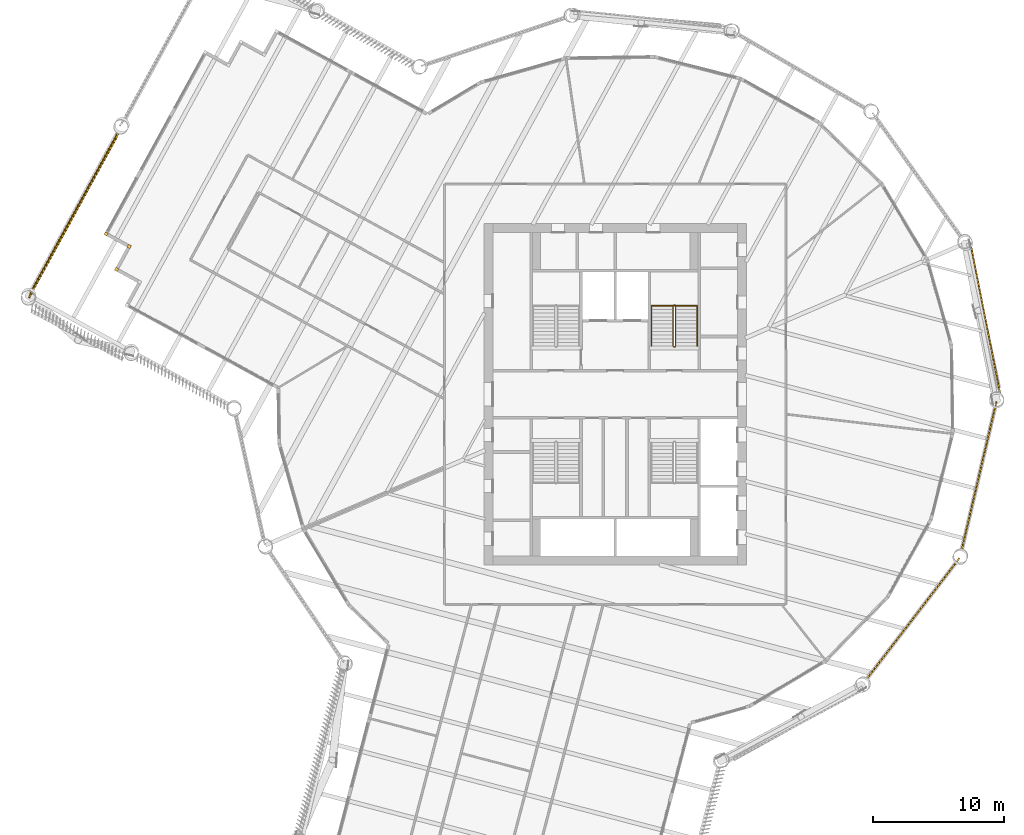
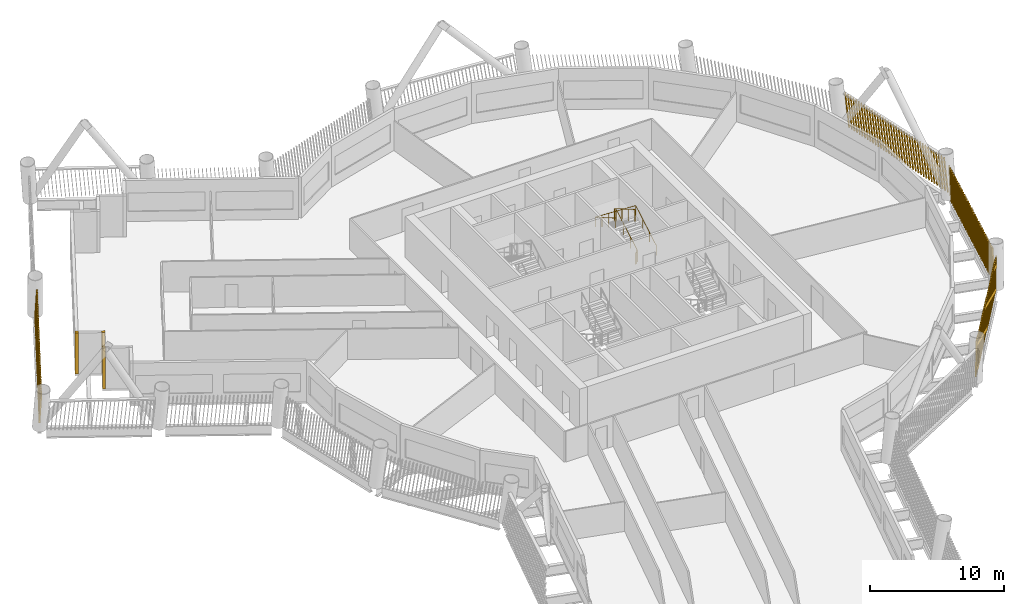
# One storey, part 22 of 24: 7 shading devices, 2 railings.
"""IFC4 building model written with IfcOpenShell, lengths in metres."""

from ifc_helpers import new_model, si_unit, direction, frame, frame_2d, origin, origin_2d, place, context, subcontext, project, spatial, rectangle, circle, composite_profile, extrude, material, type_object, element, save


model = new_model("IFC4")

# Units and contexts
model_context = context("Model", 3, precision=1e-05, world=origin(), true_north=direction((0.0, 1.0)))
body_context = subcontext(model_context, "Body", "Model", "MODEL_VIEW")
ifc_project = project(units=[si_unit("LENGTHUNIT", "METRE"), si_unit("AREAUNIT", "SQUARE_METRE"), si_unit("VOLUMEUNIT", "CUBIC_METRE"), si_unit("PLANEANGLEUNIT", "RADIAN"), si_unit("MASSUNIT", "GRAM", prefix="KILO")], contexts=[model_context])

# Site, building, storey
site_placement = place(None, origin())
site = spatial("IfcSite", under=ifc_project, at=site_placement, CompositionType="ELEMENT")
building_placement = place(site_placement, origin())
building = spatial("IfcBuilding", under=site, at=building_placement, Name="Tarsis Ring Headquarters", CompositionType="ELEMENT")
storey_placement = place(building_placement, frame((0.0, 0.0, 163.199951171875)))
storey = spatial("IfcBuildingStorey", under=building, at=storey_placement, Name="L37", CompositionType="ELEMENT", Elevation=163.199951171875)

# Railings
ifc_material_1 = material(Name="Steel S355", Category="steel")
railing_type_1 = type_object("IfcRailingType", Name="Core stair guard 1100", PredefinedType="GUARDRAIL", material=ifc_material_1)
railing_1_placement = place(storey_placement, frame((4.4599609375, 3.610107421875, 0.0)))
element("IfcRailing", 1, at=railing_1_placement, inside=storey, type_object=railing_type_1, Name="L37 ST2 stair guard 1", PredefinedType="GUARDRAIL", context=body_context, shape_type="SweptSolid", body=[
    extrude(circle(Radius=0.02392578125, at=origin_2d()), frame((0.0, 0.0, 1.076171875), z_axis=(1.0, 0.0, 0.0), x_axis=(0.0, 1.0, 0.0)), (0.0, 0.0, 1.0), 0.080078125),
    extrude(circle(Radius=0.02392578125, at=origin_2d()), frame((0.080078125, 0.0, 1.076171875), z_axis=(0.282336740067, 0.280959487676, 0.917250092119), x_axis=(-0.705375805398, 0.708833529934, 0.0)), (0.0, 0.0, 1.0), 0.17724609375),
    extrude(circle(Radius=0.02392578125, at=origin_2d()), frame((0.130126953125, 0.0498046875, 1.23876953125), z_axis=(0.0, 0.864920483161, 0.501908913857), x_axis=(-1.0, 0.0, 0.0)), (0.0, 0.0, 1.0), 3.56103515625),
    extrude(circle(Radius=0.02392578125, at=origin_2d()), frame((0.130126953125, 3.1298828125, 3.02587890625), z_axis=(-0.707106781187, 0.707106781187, 0.0), x_axis=(-0.707106781187, -0.707106781187, 0.0)), (0.0, 0.0, 1.0), 0.07080078125),
    extrude(circle(Radius=0.02392578125, at=origin_2d()), frame((0.080078125, 3.179931640625, 3.02587890625), z_axis=(-1.0, 0.0, 0.0), x_axis=(0.0, -1.0, 0.0)), (0.0, 0.0, 1.0), 0.080078125),
    extrude(circle(Radius=0.02392578125, at=origin_2d()), frame((0.0, 3.179931640625, 3.02587890625), z_axis=(-0.282227285176, -0.282227285176, 0.916894497205), x_axis=(0.707106781187, -0.707106781187, 0.0)), (0.0, 0.0, 1.0), 0.17724609375),
    extrude(circle(Radius=0.02392578125, at=origin_2d()), frame((-0.050048828125, 3.1298828125, 3.1884765625), z_axis=(0.0, -0.864890721111, 0.501960198159), x_axis=(1.0, 0.0, 0.0)), (0.0, 0.0, 1.0), 3.561279296875),
    extrude(circle(Radius=0.02099609375, at=origin_2d()), origin(), (0.0, 0.0, 1.0), 1.052001953125),
    extrude(circle(Radius=0.02099609375, at=origin_2d()), frame((0.080078125, 0.0, 0.0)), (0.0, 0.0, 1.0), 1.052001953125),
    extrude(circle(Radius=0.02099609375, at=origin_2d()), frame((0.130126953125, 0.0498046875, 0.16259765625)), (0.0, 0.0, 1.0), 1.052001953125),
    extrude(circle(Radius=0.02099609375, at=origin_2d()), frame((0.130126953125, 1.076416015625, 0.75830078125)), (0.0, 0.0, 1.0), 1.052001953125),
    extrude(circle(Radius=0.02099609375, at=origin_2d()), frame((0.130126953125, 2.103271484375, 1.354248046875)), (0.0, 0.0, 1.0), 1.052001953125),
    extrude(circle(Radius=0.02099609375, at=origin_2d()), frame((0.130126953125, 3.1298828125, 1.949951171875)), (0.0, 0.0, 1.0), 1.052001953125),
    extrude(circle(Radius=0.02099609375, at=origin_2d()), frame((0.080078125, 3.179931640625, 1.949951171875)), (0.0, 0.0, 1.0), 1.052001953125),
    extrude(circle(Radius=0.02099609375, at=origin_2d()), frame((0.0, 3.179931640625, 1.949951171875)), (0.0, 0.0, 1.0), 1.052001953125),
    extrude(circle(Radius=0.02099609375, at=origin_2d()), frame((-0.050048828125, 3.1298828125, 2.112548828125)), (0.0, 0.0, 1.0), 1.052001953125),
    extrude(circle(Radius=0.02099609375, at=origin_2d()), frame((-0.050048828125, 2.103271484375, 2.70849609375)), (0.0, 0.0, 1.0), 1.052001953125),
    extrude(circle(Radius=0.02099609375, at=origin_2d()), frame((-0.050048828125, 1.076416015625, 3.30419921875)), (0.0, 0.0, 1.0), 1.052001953125),
    extrude(circle(Radius=0.02099609375, at=origin_2d()), frame((-0.050048828125, 0.0498046875, 3.900146484375)), (0.0, 0.0, 1.0), 1.052001953125),
])
railing_type_2 = type_object("IfcRailingType", Name="Core stair handrail 900", PredefinedType="HANDRAIL", material=ifc_material_1)
railing_2_placement = place(storey_placement, frame((6.25, 3.659912109375, 0.16259765625)))
element("IfcRailing", 2, at=railing_2_placement, inside=storey, type_object=railing_type_2, Name="L37 ST2 stair handrail 1", PredefinedType="HANDRAIL", context=body_context, shape_type="SweptSolid", body=[
    extrude(circle(Radius=0.02392578125, at=origin_2d()), frame((0.0, 0.0, 0.8759765625), z_axis=(0.0, 0.864920483161, 0.501908913857), x_axis=(-1.0, 0.0, 0.0)), (0.0, 0.0, 1.0), 3.56103515625),
    extrude(circle(Radius=0.02392578125, at=origin_2d()), frame((0.0, 3.080078125, 2.6630859375), z_axis=(-0.998922641604, 0.0, 0.046406422943), x_axis=(0.0, -1.0, 0.0)), (0.0, 0.0, 1.0), 3.503662109375),
    extrude(circle(Radius=0.02392578125, at=origin_2d()), frame((-3.5, 3.080078125, 2.82568359375), z_axis=(0.0, -0.864890721111, 0.501960198159), x_axis=(1.0, 0.0, 0.0)), (0.0, 0.0, 1.0), 3.561279296875),
    extrude(circle(Radius=0.02099609375, at=origin_2d()), origin(), (0.0, 0.0, 1.0), 0.851806640625),
    extrude(circle(Radius=0.02099609375, at=origin_2d()), frame((0.0, 1.026611328125, 0.595703125)), (0.0, 0.0, 1.0), 0.851806640625),
    extrude(circle(Radius=0.02099609375, at=origin_2d()), frame((0.0, 2.053466796875, 1.191650390625)), (0.0, 0.0, 1.0), 0.851806640625),
    extrude(circle(Radius=0.02099609375, at=origin_2d()), frame((0.0, 3.080078125, 1.787353515625)), (0.0, 0.0, 1.0), 0.851806640625),
    extrude(circle(Radius=0.02099609375, at=origin_2d()), frame((-1.166748046875, 3.080078125, 1.841552734375)), (0.0, 0.0, 1.0), 0.851806640625),
    extrude(circle(Radius=0.02099609375, at=origin_2d()), frame((-2.333251953125, 3.080078125, 1.895751953125)), (0.0, 0.0, 1.0), 0.851806640625),
    extrude(circle(Radius=0.02099609375, at=origin_2d()), frame((-3.5, 3.080078125, 1.949951171875)), (0.0, 0.0, 1.0), 0.851806640625),
    extrude(circle(Radius=0.02099609375, at=origin_2d()), frame((-3.5, 2.053466796875, 2.5458984375)), (0.0, 0.0, 1.0), 0.851806640625),
    extrude(circle(Radius=0.02099609375, at=origin_2d()), frame((-3.5, 1.026611328125, 3.1416015625)), (0.0, 0.0, 1.0), 0.851806640625),
    extrude(circle(Radius=0.02099609375, at=origin_2d()), frame((-3.5, 0.0, 3.737548828125)), (0.0, 0.0, 1.0), 0.851806640625),
])

# Shading devices
ifc_material_2 = material(Name="Terracotta baguette", Category="masonry")
shading_device_type_1 = type_object("IfcShadingDeviceType", Name="Terracotta baguette screen", PredefinedType="USERDEFINED", material=ifc_material_2)
shading_device_1_placement = place(storey_placement, frame((19.09765625, -21.753662109375, 0.0), z_axis=(0.0, 0.0, 1.0), x_axis=(0.608985349973, 0.793185024417, 0.0)))
element("IfcShadingDevice", 3, at=shading_device_1_placement, inside=storey, type_object=shading_device_type_1, Name="Baguette screen L37-08", ObjectType="Terracotta baguette screen", PredefinedType="USERDEFINED", context=body_context, shape_type="SweptSolid", body=[
    extrude(composite_profile([rectangle(XDim=0.06005859375, YDim=0.1201171875, at=frame_2d((0.030029296875, 0.0))), rectangle(XDim=0.06005859375, YDim=0.1201171875, at=frame_2d((0.33251953125, 0.0))), rectangle(XDim=0.06005859375, YDim=0.1201171875, at=frame_2d((0.634765625, 0.0))), rectangle(XDim=0.06005859375, YDim=0.1201171875, at=frame_2d((0.937255859375, 0.0))), rectangle(XDim=0.06005859375, YDim=0.1201171875, at=frame_2d((1.239501953125, 0.0))), rectangle(XDim=0.06005859375, YDim=0.1201171875, at=frame_2d((1.5419921875, 0.0))), rectangle(XDim=0.06005859375, YDim=0.1201171875, at=frame_2d((1.844482421875, 0.0))), rectangle(XDim=0.06005859375, YDim=0.1201171875, at=frame_2d((2.146728515625, 0.0))), rectangle(XDim=0.06005859375, YDim=0.1201171875, at=frame_2d((2.44921875, 0.0))), rectangle(XDim=0.06005859375, YDim=0.1201171875, at=frame_2d((2.751708984375, 0.0))), rectangle(XDim=0.06005859375, YDim=0.1201171875, at=frame_2d((3.053955078125, 0.0))), rectangle(XDim=0.06005859375, YDim=0.1201171875, at=frame_2d((3.3564453125, 0.0))), rectangle(XDim=0.06005859375, YDim=0.1201171875, at=frame_2d((3.65869140625, 0.0))), rectangle(XDim=0.06005859375, YDim=0.1201171875, at=frame_2d((3.961181640625, 0.0))), rectangle(XDim=0.06005859375, YDim=0.1201171875, at=frame_2d((4.263671875, 0.0))), rectangle(XDim=0.06005859375, YDim=0.1201171875, at=frame_2d((4.56591796875, 0.0))), rectangle(XDim=0.06005859375, YDim=0.1201171875, at=frame_2d((4.868408203125, 0.0))), rectangle(XDim=0.06005859375, YDim=0.1201171875, at=frame_2d((5.1708984375, 0.0))), rectangle(XDim=0.06005859375, YDim=0.1201171875, at=frame_2d((5.47314453125, 0.0))), rectangle(XDim=0.06005859375, YDim=0.1201171875, at=frame_2d((5.775634765625, 0.0))), rectangle(XDim=0.06005859375, YDim=0.1201171875, at=frame_2d((6.077880859375, 0.0))), rectangle(XDim=0.06005859375, YDim=0.1201171875, at=frame_2d((6.38037109375, 0.0))), rectangle(XDim=0.06005859375, YDim=0.1201171875, at=frame_2d((6.682861328125, 0.0))), rectangle(XDim=0.06005859375, YDim=0.1201171875, at=frame_2d((6.985107421875, 0.0))), rectangle(XDim=0.06005859375, YDim=0.1201171875, at=frame_2d((7.28759765625, 0.0))), rectangle(XDim=0.06005859375, YDim=0.1201171875, at=frame_2d((7.590087890625, 0.0))), rectangle(XDim=0.06005859375, YDim=0.1201171875, at=frame_2d((7.892333984375, 0.0))), rectangle(XDim=0.06005859375, YDim=0.1201171875, at=frame_2d((8.19482421875, 0.0))), rectangle(XDim=0.06005859375, YDim=0.1201171875, at=frame_2d((8.4970703125, 0.0))), rectangle(XDim=0.06005859375, YDim=0.1201171875, at=frame_2d((8.799560546875, 0.0))), rectangle(XDim=0.06005859375, YDim=0.1201171875, at=frame_2d((9.10205078125, 0.0))), rectangle(XDim=0.06005859375, YDim=0.1201171875, at=frame_2d((9.404296875, 0.0))), rectangle(XDim=0.06005859375, YDim=0.1201171875, at=frame_2d((9.706787109375, 0.0))), rectangle(XDim=0.06005859375, YDim=0.1201171875, at=frame_2d((10.00927734375, 0.0))), rectangle(XDim=0.06005859375, YDim=0.1201171875, at=frame_2d((10.3115234375, 0.0))), rectangle(XDim=0.06005859375, YDim=0.1201171875, at=frame_2d((10.614013671875, 0.0))), rectangle(XDim=0.06005859375, YDim=0.1201171875, at=frame_2d((10.916259765625, 0.0))), rectangle(XDim=0.06005859375, YDim=0.1201171875, at=frame_2d((11.21875, 0.0)))]), origin(), (0.149496427679, 0.001173892914, 0.988761568876), 2.9833984375),
])
shading_device_2_placement = place(storey_placement, frame((26.366455078125, -11.947998046875, 0.0), z_axis=(0.0, 0.0, 1.0), x_axis=(0.227906068235, 0.973673930029, 0.0)))
element("IfcShadingDevice", 4, at=shading_device_2_placement, inside=storey, type_object=shading_device_type_1, Name="Baguette screen L37-09", ObjectType="Terracotta baguette screen", PredefinedType="USERDEFINED", context=body_context, shape_type="SweptSolid", body=[
    extrude(composite_profile([rectangle(XDim=0.06005859375, YDim=0.1201171875, at=frame_2d((0.030029296875, 0.0))), rectangle(XDim=0.06005859375, YDim=0.1201171875, at=frame_2d((0.33251953125, 0.0))), rectangle(XDim=0.06005859375, YDim=0.1201171875, at=frame_2d((0.634765625, 0.0))), rectangle(XDim=0.06005859375, YDim=0.1201171875, at=frame_2d((0.937255859375, 0.0))), rectangle(XDim=0.06005859375, YDim=0.1201171875, at=frame_2d((1.239501953125, 0.0))), rectangle(XDim=0.06005859375, YDim=0.1201171875, at=frame_2d((1.5419921875, 0.0))), rectangle(XDim=0.06005859375, YDim=0.1201171875, at=frame_2d((1.844482421875, 0.0))), rectangle(XDim=0.06005859375, YDim=0.1201171875, at=frame_2d((2.146728515625, 0.0))), rectangle(XDim=0.06005859375, YDim=0.1201171875, at=frame_2d((2.44921875, 0.0))), rectangle(XDim=0.06005859375, YDim=0.1201171875, at=frame_2d((2.751708984375, 0.0))), rectangle(XDim=0.06005859375, YDim=0.1201171875, at=frame_2d((3.053955078125, 0.0))), rectangle(XDim=0.06005859375, YDim=0.1201171875, at=frame_2d((3.3564453125, 0.0))), rectangle(XDim=0.06005859375, YDim=0.1201171875, at=frame_2d((3.65869140625, 0.0))), rectangle(XDim=0.06005859375, YDim=0.1201171875, at=frame_2d((3.961181640625, 0.0))), rectangle(XDim=0.06005859375, YDim=0.1201171875, at=frame_2d((4.263671875, 0.0))), rectangle(XDim=0.06005859375, YDim=0.1201171875, at=frame_2d((4.56591796875, 0.0))), rectangle(XDim=0.06005859375, YDim=0.1201171875, at=frame_2d((4.868408203125, 0.0))), rectangle(XDim=0.06005859375, YDim=0.1201171875, at=frame_2d((5.1708984375, 0.0))), rectangle(XDim=0.06005859375, YDim=0.1201171875, at=frame_2d((5.47314453125, 0.0))), rectangle(XDim=0.06005859375, YDim=0.1201171875, at=frame_2d((5.775634765625, 0.0))), rectangle(XDim=0.06005859375, YDim=0.1201171875, at=frame_2d((6.077880859375, 0.0))), rectangle(XDim=0.06005859375, YDim=0.1201171875, at=frame_2d((6.38037109375, 0.0))), rectangle(XDim=0.06005859375, YDim=0.1201171875, at=frame_2d((6.682861328125, 0.0))), rectangle(XDim=0.06005859375, YDim=0.1201171875, at=frame_2d((6.985107421875, 0.0))), rectangle(XDim=0.06005859375, YDim=0.1201171875, at=frame_2d((7.28759765625, 0.0))), rectangle(XDim=0.06005859375, YDim=0.1201171875, at=frame_2d((7.590087890625, 0.0))), rectangle(XDim=0.06005859375, YDim=0.1201171875, at=frame_2d((7.892333984375, 0.0))), rectangle(XDim=0.06005859375, YDim=0.1201171875, at=frame_2d((8.19482421875, 0.0))), rectangle(XDim=0.06005859375, YDim=0.1201171875, at=frame_2d((8.4970703125, 0.0))), rectangle(XDim=0.06005859375, YDim=0.1201171875, at=frame_2d((8.799560546875, 0.0))), rectangle(XDim=0.06005859375, YDim=0.1201171875, at=frame_2d((9.10205078125, 0.0))), rectangle(XDim=0.06005859375, YDim=0.1201171875, at=frame_2d((9.404296875, 0.0))), rectangle(XDim=0.06005859375, YDim=0.1201171875, at=frame_2d((9.706787109375, 0.0))), rectangle(XDim=0.06005859375, YDim=0.1201171875, at=frame_2d((10.00927734375, 0.0))), rectangle(XDim=0.06005859375, YDim=0.1201171875, at=frame_2d((10.3115234375, 0.0))), rectangle(XDim=0.06005859375, YDim=0.1201171875, at=frame_2d((10.614013671875, 0.0))), rectangle(XDim=0.06005859375, YDim=0.1201171875, at=frame_2d((10.916259765625, 0.0))), rectangle(XDim=0.06005859375, YDim=0.1201171875, at=frame_2d((11.21875, 0.0)))]), origin(), (0.149494664616, 0.001174598467, 0.988761834604), 2.9833984375),
])
shading_device_3_placement = place(storey_placement, frame((29.315185546875, 0.054931640625, 0.0), z_axis=(0.0, 0.0, 1.0), x_axis=(-0.193701710218, 0.981053042799, 0.0)))
element("IfcShadingDevice", 5, at=shading_device_3_placement, inside=storey, type_object=shading_device_type_1, Name="Baguette screen L37-10", ObjectType="Terracotta baguette screen", PredefinedType="USERDEFINED", context=body_context, shape_type="SweptSolid", body=[
    extrude(composite_profile([rectangle(XDim=0.06005859375, YDim=0.1201171875, at=frame_2d((0.030029296875, 0.0))), rectangle(XDim=0.06005859375, YDim=0.1201171875, at=frame_2d((0.33251953125, 0.0))), rectangle(XDim=0.06005859375, YDim=0.1201171875, at=frame_2d((0.634765625, 0.0))), rectangle(XDim=0.06005859375, YDim=0.1201171875, at=frame_2d((0.937255859375, 0.0))), rectangle(XDim=0.06005859375, YDim=0.1201171875, at=frame_2d((1.239501953125, 0.0))), rectangle(XDim=0.06005859375, YDim=0.1201171875, at=frame_2d((1.5419921875, 0.0))), rectangle(XDim=0.06005859375, YDim=0.1201171875, at=frame_2d((1.844482421875, 0.0))), rectangle(XDim=0.06005859375, YDim=0.1201171875, at=frame_2d((2.146728515625, 0.0))), rectangle(XDim=0.06005859375, YDim=0.1201171875, at=frame_2d((2.44921875, 0.0))), rectangle(XDim=0.06005859375, YDim=0.1201171875, at=frame_2d((2.751708984375, 0.0))), rectangle(XDim=0.06005859375, YDim=0.1201171875, at=frame_2d((3.053955078125, 0.0))), rectangle(XDim=0.06005859375, YDim=0.1201171875, at=frame_2d((3.3564453125, 0.0))), rectangle(XDim=0.06005859375, YDim=0.1201171875, at=frame_2d((3.65869140625, 0.0))), rectangle(XDim=0.06005859375, YDim=0.1201171875, at=frame_2d((3.961181640625, 0.0))), rectangle(XDim=0.06005859375, YDim=0.1201171875, at=frame_2d((4.263671875, 0.0))), rectangle(XDim=0.06005859375, YDim=0.1201171875, at=frame_2d((4.56591796875, 0.0))), rectangle(XDim=0.06005859375, YDim=0.1201171875, at=frame_2d((4.868408203125, 0.0))), rectangle(XDim=0.06005859375, YDim=0.1201171875, at=frame_2d((5.1708984375, 0.0))), rectangle(XDim=0.06005859375, YDim=0.1201171875, at=frame_2d((5.47314453125, 0.0))), rectangle(XDim=0.06005859375, YDim=0.1201171875, at=frame_2d((5.775634765625, 0.0))), rectangle(XDim=0.06005859375, YDim=0.1201171875, at=frame_2d((6.077880859375, 0.0))), rectangle(XDim=0.06005859375, YDim=0.1201171875, at=frame_2d((6.38037109375, 0.0))), rectangle(XDim=0.06005859375, YDim=0.1201171875, at=frame_2d((6.682861328125, 0.0))), rectangle(XDim=0.06005859375, YDim=0.1201171875, at=frame_2d((6.985107421875, 0.0))), rectangle(XDim=0.06005859375, YDim=0.1201171875, at=frame_2d((7.28759765625, 0.0))), rectangle(XDim=0.06005859375, YDim=0.1201171875, at=frame_2d((7.590087890625, 0.0))), rectangle(XDim=0.06005859375, YDim=0.1201171875, at=frame_2d((7.892333984375, 0.0))), rectangle(XDim=0.06005859375, YDim=0.1201171875, at=frame_2d((8.19482421875, 0.0))), rectangle(XDim=0.06005859375, YDim=0.1201171875, at=frame_2d((8.4970703125, 0.0))), rectangle(XDim=0.06005859375, YDim=0.1201171875, at=frame_2d((8.799560546875, 0.0))), rectangle(XDim=0.06005859375, YDim=0.1201171875, at=frame_2d((9.10205078125, 0.0))), rectangle(XDim=0.06005859375, YDim=0.1201171875, at=frame_2d((9.404296875, 0.0))), rectangle(XDim=0.06005859375, YDim=0.1201171875, at=frame_2d((9.706787109375, 0.0))), rectangle(XDim=0.06005859375, YDim=0.1201171875, at=frame_2d((10.00927734375, 0.0))), rectangle(XDim=0.06005859375, YDim=0.1201171875, at=frame_2d((10.3115234375, 0.0))), rectangle(XDim=0.06005859375, YDim=0.1201171875, at=frame_2d((10.614013671875, 0.0))), rectangle(XDim=0.06005859375, YDim=0.1201171875, at=frame_2d((10.916259765625, 0.0))), rectangle(XDim=0.06005859375, YDim=0.1201171875, at=frame_2d((11.21875, 0.0)))]), origin(), (0.151424119326, 0.001188901729, 0.988468169745), 2.984375),
])
shading_device_4_placement = place(storey_placement, frame((-37.7958984375, 20.088623046875, 0.0), z_axis=(0.0, 0.0, 1.0), x_axis=(-0.479610791685, -0.87748783724, 0.0)))
element("IfcShadingDevice", 6, at=shading_device_4_placement, inside=storey, type_object=shading_device_type_1, Name="Baguette screen L37-18", ObjectType="Terracotta baguette screen", PredefinedType="USERDEFINED", context=body_context, shape_type="SweptSolid", body=[
    extrude(composite_profile([rectangle(XDim=0.06005859375, YDim=0.1201171875, at=frame_2d((0.030029296875, 0.0))), rectangle(XDim=0.06005859375, YDim=0.1201171875, at=frame_2d((0.33544921875, 0.0))), rectangle(XDim=0.06005859375, YDim=0.1201171875, at=frame_2d((0.640625, 0.0))), rectangle(XDim=0.06005859375, YDim=0.1201171875, at=frame_2d((0.946044921875, 0.0))), rectangle(XDim=0.06005859375, YDim=0.1201171875, at=frame_2d((1.25146484375, 0.0))), rectangle(XDim=0.06005859375, YDim=0.1201171875, at=frame_2d((1.556640625, 0.0))), rectangle(XDim=0.06005859375, YDim=0.1201171875, at=frame_2d((1.862060546875, 0.0))), rectangle(XDim=0.06005859375, YDim=0.1201171875, at=frame_2d((2.16748046875, 0.0))), rectangle(XDim=0.06005859375, YDim=0.1201171875, at=frame_2d((2.47265625, 0.0))), rectangle(XDim=0.06005859375, YDim=0.1201171875, at=frame_2d((2.778076171875, 0.0))), rectangle(XDim=0.06005859375, YDim=0.1201171875, at=frame_2d((3.08349609375, 0.0))), rectangle(XDim=0.06005859375, YDim=0.1201171875, at=frame_2d((3.388671875, 0.0))), rectangle(XDim=0.06005859375, YDim=0.1201171875, at=frame_2d((3.694091796875, 0.0))), rectangle(XDim=0.06005859375, YDim=0.1201171875, at=frame_2d((3.99951171875, 0.0))), rectangle(XDim=0.06005859375, YDim=0.1201171875, at=frame_2d((4.3046875, 0.0))), rectangle(XDim=0.06005859375, YDim=0.1201171875, at=frame_2d((4.610107421875, 0.0))), rectangle(XDim=0.06005859375, YDim=0.1201171875, at=frame_2d((4.91552734375, 0.0))), rectangle(XDim=0.06005859375, YDim=0.1201171875, at=frame_2d((5.220703125, 0.0))), rectangle(XDim=0.06005859375, YDim=0.1201171875, at=frame_2d((5.526123046875, 0.0))), rectangle(XDim=0.06005859375, YDim=0.1201171875, at=frame_2d((5.83154296875, 0.0))), rectangle(XDim=0.06005859375, YDim=0.1201171875, at=frame_2d((6.13671875, 0.0))), rectangle(XDim=0.06005859375, YDim=0.1201171875, at=frame_2d((6.442138671875, 0.0))), rectangle(XDim=0.06005859375, YDim=0.1201171875, at=frame_2d((6.74755859375, 0.0))), rectangle(XDim=0.06005859375, YDim=0.1201171875, at=frame_2d((7.052734375, 0.0))), rectangle(XDim=0.06005859375, YDim=0.1201171875, at=frame_2d((7.358154296875, 0.0))), rectangle(XDim=0.06005859375, YDim=0.1201171875, at=frame_2d((7.66357421875, 0.0))), rectangle(XDim=0.06005859375, YDim=0.1201171875, at=frame_2d((7.96875, 0.0))), rectangle(XDim=0.06005859375, YDim=0.1201171875, at=frame_2d((8.274169921875, 0.0))), rectangle(XDim=0.06005859375, YDim=0.1201171875, at=frame_2d((8.57958984375, 0.0))), rectangle(XDim=0.06005859375, YDim=0.1201171875, at=frame_2d((8.884765625, 0.0))), rectangle(XDim=0.06005859375, YDim=0.1201171875, at=frame_2d((9.190185546875, 0.0))), rectangle(XDim=0.06005859375, YDim=0.1201171875, at=frame_2d((9.49560546875, 0.0))), rectangle(XDim=0.06005859375, YDim=0.1201171875, at=frame_2d((9.80078125, 0.0))), rectangle(XDim=0.06005859375, YDim=0.1201171875, at=frame_2d((10.106201171875, 0.0))), rectangle(XDim=0.06005859375, YDim=0.1201171875, at=frame_2d((10.41162109375, 0.0))), rectangle(XDim=0.06005859375, YDim=0.1201171875, at=frame_2d((10.716796875, 0.0))), rectangle(XDim=0.06005859375, YDim=0.1201171875, at=frame_2d((11.022216796875, 0.0))), rectangle(XDim=0.06005859375, YDim=0.1201171875, at=frame_2d((11.32763671875, 0.0))), rectangle(XDim=0.06005859375, YDim=0.1201171875, at=frame_2d((11.6328125, 0.0))), rectangle(XDim=0.06005859375, YDim=0.1201171875, at=frame_2d((11.938232421875, 0.0))), rectangle(XDim=0.06005859375, YDim=0.1201171875, at=frame_2d((12.24365234375, 0.0))), rectangle(XDim=0.06005859375, YDim=0.1201171875, at=frame_2d((12.548828125, 0.0))), rectangle(XDim=0.06005859375, YDim=0.1201171875, at=frame_2d((12.854248046875, 0.0))), rectangle(XDim=0.06005859375, YDim=0.1201171875, at=frame_2d((13.15966796875, 0.0))), rectangle(XDim=0.06005859375, YDim=0.1201171875, at=frame_2d((13.46484375, 0.0))), rectangle(XDim=0.06005859375, YDim=0.1201171875, at=frame_2d((13.770263671875, 0.0)))]), origin(), (0.221731754364, 0.040131744887, 0.974281515866), 3.02783203125),
])
shading_device_type_2 = type_object("IfcShadingDeviceType", Name="Terracotta corner baguette 250x250", PredefinedType="USERDEFINED", material=ifc_material_2)
for number, where, z_axis, x_axis, name in (
    (7, (-38.7666015625, 12.21435546875, 0.0), (0.0, 0.0, 1.0), (-0.479611016922, -0.87748120917, 0.0), "Corner baguette L37-37"),
    (8, (-37.011474609375, 11.255126953125, 0.0), (0.0, 0.0, 1.0), (0.877481167316, -0.479611093497, 0.0), "Corner baguette L37-38"),
    (9, (-37.970703125, 9.500244140625, 0.0), (0.0, 0.0, 1.0), (-0.479611261961, -0.877481075237, 0.0), "Corner baguette L37-39"),
):
    element("IfcShadingDevice", number, at=place(storey_placement, frame(where, z_axis=z_axis, x_axis=x_axis)), inside=storey, type_object=shading_device_type_2, Name=name, ObjectType="Terracotta corner baguette", PredefinedType="USERDEFINED", context=body_context, shape_type="SweptSolid", body=[
        extrude(rectangle(XDim=0.25, YDim=0.25, at=origin_2d()), origin(), (0.0, 0.0, 1.0), 3.739990234375),
    ])

save(model, "model.ifc")
